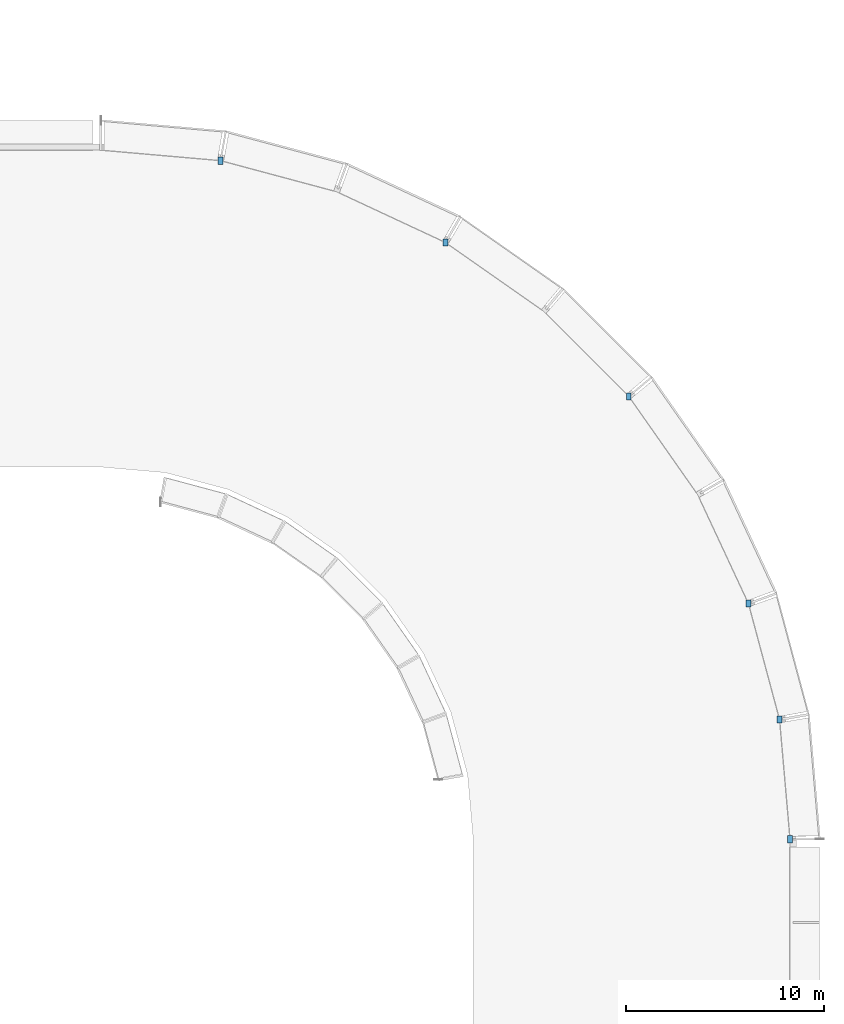
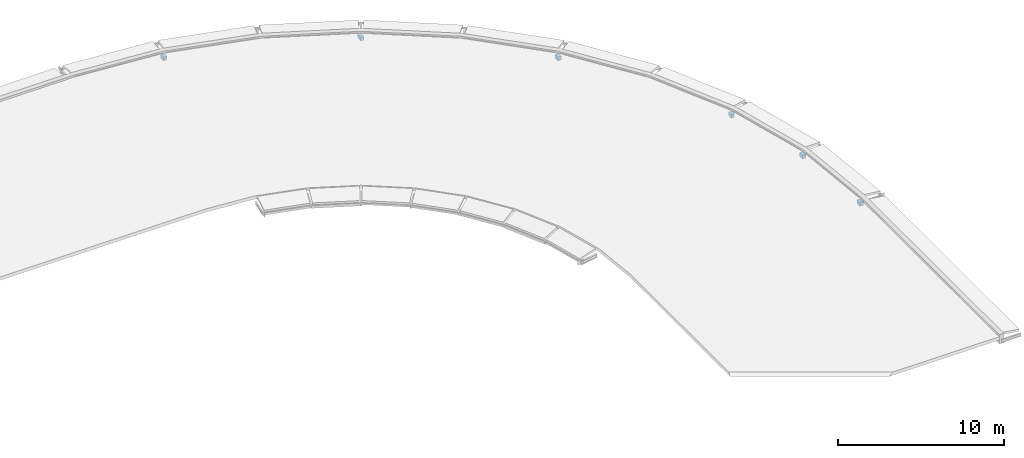
# One storey, part 17 of 23: 6 discrete accessories.
"""IFC4 building model written with IfcOpenShell, lengths in metres."""

from ifc_helpers import new_model, si_unit, direction, frame, origin, origin_2d, place, context, subcontext, project, spatial, rectangle, extrude, material, type_object, element, save


model = new_model("IFC4")

# Units and contexts
model_context = context("Model", 3, precision=1e-05, world=origin(), true_north=direction((0.0, 1.0)))
body_context = subcontext(model_context, "Body", "Model", "MODEL_VIEW")
ifc_project = project(units=[si_unit("LENGTHUNIT", "METRE"), si_unit("AREAUNIT", "SQUARE_METRE"), si_unit("VOLUMEUNIT", "CUBIC_METRE"), si_unit("PLANEANGLEUNIT", "RADIAN"), si_unit("MASSUNIT", "GRAM", prefix="KILO")], contexts=[model_context])

# Site, building, storey
site_placement = place(None, origin())
site = spatial("IfcSite", under=ifc_project, at=site_placement, CompositionType="ELEMENT")
building_placement = place(site_placement, origin())
building = spatial("IfcBuilding", under=site, at=building_placement, Name="Kiranvali Square Residences", CompositionType="ELEMENT")
storey_placement = place(building_placement, frame((0.0, 0.0, 43.35009765625)))
storey = spatial("IfcBuildingStorey", under=building, at=storey_placement, Name="L13", CompositionType="ELEMENT", Elevation=43.35009765625)

# Discrete accessories
ifc_material = material(Name="Structural steel E350", Category="steel")
discrete_accessory_type = type_object("IfcDiscreteAccessoryType", Name="ACC-BRACKET-EAVE", PredefinedType="BRACKET", material=ifc_material)
for number, where, z_axis, x_axis, name in (
    (1, (125.843017578125, 122.0712890625, -0.43994140625), (0.0, 0.0, 1.0), (1.0, 0.0, 0.0), "Block B Ottoman eave steel bracket 1"),
    (2, (137.199951171875, 117.937744140625, -0.43994140625), (0.0, 0.0, 1.0), (1.0, 0.0, 0.0), "Block B Ottoman eave steel bracket 3"),
    (3, (146.458251953125, 110.1689453125, -0.43994140625), (0.0, 0.0, 1.0), (1.0, 0.0, 0.0), "Block B Ottoman eave steel bracket 5"),
    (4, (152.501220703125, 99.702392578125, -0.43994140625), (0.0, 0.0, 1.0), (1.0, 0.0, 0.0), "Block B Ottoman eave steel bracket 7"),
    (5, (154.0712890625, 93.843017578125, -0.43994140625), (0.0, 0.0, 1.0), (1.0, 0.0, 0.0), "Block B Ottoman eave steel bracket 8"),
    (6, (154.60009765625, 87.800048828125, -0.43994140625), (0.0, 0.0, 1.0), (1.0, 0.0, 0.0), "Block B Ottoman eave steel bracket 9"),
):
    element("IfcDiscreteAccessory", number, at=place(storey_placement, frame(where, z_axis=z_axis, x_axis=x_axis)), inside=storey, type_object=discrete_accessory_type, Name=name, PredefinedType="BRACKET", context=body_context, shape_type="SweptSolid", body=[
        extrude(rectangle(XDim=0.239990234375, YDim=0.360107421875, at=origin_2d()), origin(), (0.0, 0.0, 1.0), 0.280029296875),
    ])

save(model, "model.ifc")
